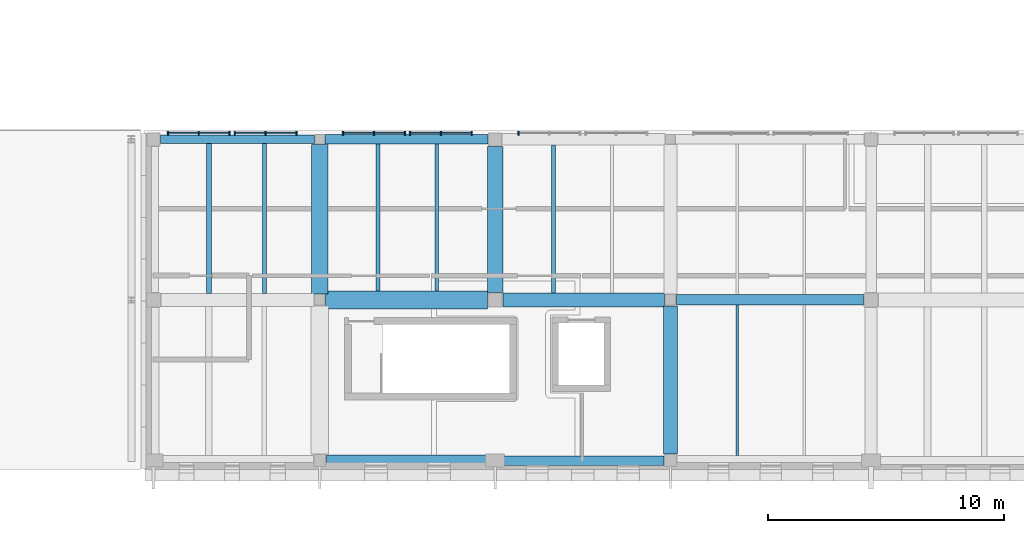
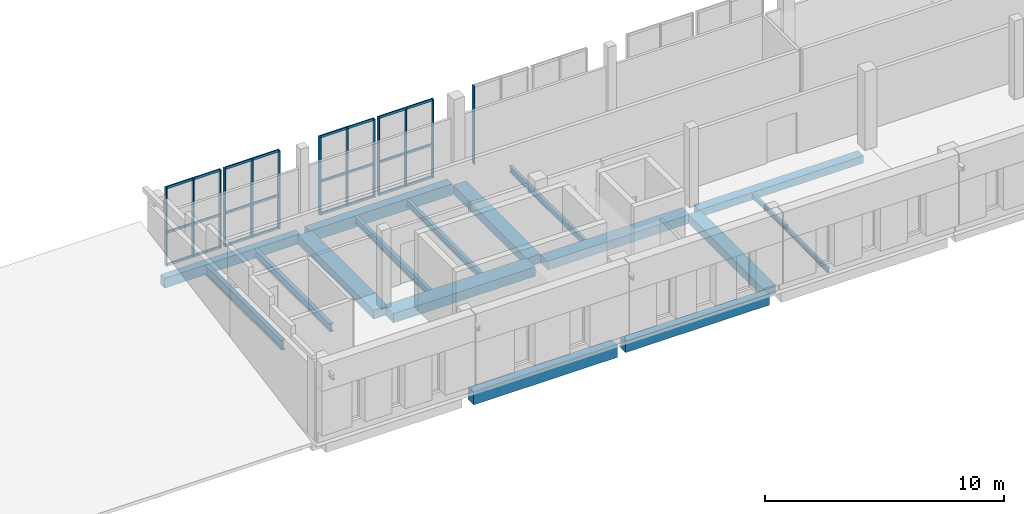
# One storey, part 11 of 56: 37 members, 16 beams, 5 elements without a shape of their own.
"""IFC4 building model written with IfcOpenShell, lengths in metres."""

from ifc_helpers import new_model, si_unit, direction, frame, origin, origin_2d, place, context, subcontext, project, spatial, rectangle, i_section, extrude, material, layer, layer_set, material_profile, profile_set, type_object, element, aggregate, save


model = new_model("IFC4")

# Units and contexts
model_context = context("Model", 3, precision=1e-05, world=origin(), true_north=direction((0.0, 1.0)))
body_context = subcontext(model_context, "Body", "Model", "MODEL_VIEW")
ifc_project = project(units=[si_unit("LENGTHUNIT", "METRE"), si_unit("AREAUNIT", "SQUARE_METRE"), si_unit("VOLUMEUNIT", "CUBIC_METRE"), si_unit("PLANEANGLEUNIT", "RADIAN"), si_unit("MASSUNIT", "GRAM", prefix="KILO")], contexts=[model_context])

# Site, building, storey
site_placement = place(None, origin())
site = spatial("IfcSite", under=ifc_project, at=site_placement, CompositionType="ELEMENT")
building_placement = place(site_placement, origin())
building = spatial("IfcBuilding", under=site, at=building_placement, Name="Vardoun Plaza Health Centre", CompositionType="ELEMENT")
storey_placement = place(building_placement, frame((0.0, 0.0, 8.699951171875)))
storey = spatial("IfcBuildingStorey", under=building, at=storey_placement, Name="L02", CompositionType="ELEMENT", Elevation=8.699951171875)

# Beams
ifc_material_1 = material(Name="Concrete C35/45", Category="concrete")
ifc_material_profile_1 = material_profile(ifc_material_1, rectangle(XDim=0.35009765625, YDim=0.5, at=origin_2d()), Name="RC-BM 350x500")
ifc_profile_set_1 = profile_set([ifc_material_profile_1], Name="Concrete C35/45")
beam_type_1 = type_object("IfcBeamType", Name="B-08", PredefinedType="SPANDREL", material=ifc_profile_set_1)
beam_1_placement = place(storey_placement, frame((106.340087890625, 18.52001953125, -0.544921875), z_axis=(1.0, 0.0, 0.0), x_axis=(0.0, 1.0, 0.0)))
element("IfcBeam", 1, at=beam_1_placement, inside=storey, type_object=beam_type_1, Name="V5 L02 Beam B-V5-L02-X03", PredefinedType="SPANDREL", context=body_context, shape_type="SweptSolid", body=[
    extrude(rectangle(XDim=0.35009765625, YDim=0.5, at=origin_2d()), origin(), (0.0, 0.0, 1.0), 6.534912109375),
])
ifc_material_2 = material(Name="Concrete C35/45", Category="concrete")
ifc_material_profile_2 = material_profile(ifc_material_2, rectangle(XDim=0.39990234375, YDim=0.550048828125, at=origin_2d()), Name="RC-BM 400x550")
ifc_profile_set_2 = profile_set([ifc_material_profile_2], Name="Concrete C35/45")
beam_type_2 = type_object("IfcBeamType", Name="B-09", PredefinedType="SPANDREL", material=ifc_profile_set_2)
beam_2_placement = place(storey_placement, frame((120.739990234375, 4.8798828125, -0.570068359375), z_axis=(1.0, 0.0, 0.0), x_axis=(0.0, 1.0, 0.0)))
element("IfcBeam", 2, at=beam_2_placement, inside=storey, type_object=beam_type_2, Name="V5 L02 Beam B-V5-L02-X07", PredefinedType="SPANDREL", context=body_context, shape_type="SweptSolid", body=[
    extrude(rectangle(XDim=0.39990234375, YDim=0.550048828125, at=origin_2d()), origin(), (0.0, 0.0, 1.0), 6.965087890625),
])
ifc_material_3 = material(Name="Concrete C35/45", Category="concrete")
ifc_material_profile_3 = material_profile(ifc_material_3, rectangle(XDim=0.419921875, YDim=0.580078125, at=origin_2d()), Name="RC-BM 420x580")
ifc_profile_set_3 = profile_set([ifc_material_profile_3], Name="Concrete C35/45")
beam_type_3 = type_object("IfcBeamType", Name="B-10", PredefinedType="SPANDREL", material=ifc_profile_set_3)
beam_3_placement = place(storey_placement, frame((113.324951171875, 18.52001953125, -0.5849609375), z_axis=(1.0, 0.0, 0.0), x_axis=(0.0, 1.0, 0.0)))
element("IfcBeam", 3, at=beam_3_placement, inside=storey, type_object=beam_type_3, Name="V5 L02 Beam B-V5-L02-X06", PredefinedType="SPANDREL", context=body_context, shape_type="SweptSolid", body=[
    extrude(rectangle(XDim=0.419921875, YDim=0.580078125, at=origin_2d()), origin(), (0.0, 0.0, 1.0), 6.9150390625),
])
ifc_material_4 = material(Name="Concrete C35/45", Category="concrete")
ifc_material_profile_4 = material_profile(ifc_material_4, rectangle(XDim=0.449951171875, YDim=0.3798828125, at=origin_2d()), Name="RC-BM 450x380")
ifc_profile_set_4 = profile_set([ifc_material_profile_4], Name="Concrete C35/45")
beam_type_4 = type_object("IfcBeamType", Name="B-01", PredefinedType="BEAM", material=ifc_profile_set_4)
beam_4_placement = place(storey_placement, frame((128.22998046875, 11.699951171875, -0.48486328125), z_axis=(1.0, 0.0, 0.0), x_axis=(0.0, 1.0, 0.0)))
element("IfcBeam", 4, at=beam_4_placement, inside=storey, type_object=beam_type_4, Name="V5 L02 Beam B-V5-L02-X11", PredefinedType="BEAM", context=body_context, shape_type="SweptSolid", body=[
    extrude(rectangle(XDim=0.449951171875, YDim=0.3798828125, at=origin_2d()), origin(), (0.0, 0.0, 1.0), 7.945068359375),
])
ifc_material_5 = material(Name="Concrete C35/45", Category="concrete")
ifc_material_profile_5 = material_profile(ifc_material_5, rectangle(XDim=0.47998046875, YDim=0.6201171875, at=origin_2d()), Name="RC-BM 480x620")
ifc_profile_set_5 = profile_set([ifc_material_profile_5], Name="Concrete C35/45")
beam_type_5 = type_object("IfcBeamType", Name="B-12", PredefinedType="SPANDREL", material=ifc_profile_set_5)
beam_5_placement = place(storey_placement, frame((113.375, 4.8798828125, -0.60498046875), z_axis=(1.0, 0.0, 0.0), x_axis=(0.0, 1.0, 0.0)))
element("IfcBeam", 5, at=beam_5_placement, inside=storey, type_object=beam_type_5, Name="V5 L02 Beam B-V5-L02-X04", PredefinedType="SPANDREL", context=body_context, shape_type="SweptSolid", body=[
    extrude(rectangle(XDim=0.47998046875, YDim=0.6201171875, at=origin_2d()), origin(), (0.0, 0.0, 1.0), 6.965087890625),
])
ifc_material_6 = material(Name="Concrete C35/45", Category="concrete")
ifc_material_profile_6 = material_profile(ifc_material_6, rectangle(XDim=0.60009765625, YDim=0.449951171875, at=origin_2d()), Name="RC-BM 600x450")
ifc_profile_set_6 = profile_set([ifc_material_profile_6], Name="Concrete C35/45")
beam_type_6 = type_object("IfcBeamType", Name="B-04", PredefinedType="BEAM", material=ifc_profile_set_6)
beam_6_placement = place(storey_placement, frame((120.864990234375, 11.699951171875, -0.52001953125), z_axis=(1.0, 0.0, 0.0), x_axis=(0.0, 1.0, 0.0)))
element("IfcBeam", 6, at=beam_6_placement, inside=storey, type_object=beam_type_6, Name="V5 L02 Beam B-V5-L02-X08", PredefinedType="BEAM", context=body_context, shape_type="SweptSolid", body=[
    extrude(rectangle(XDim=0.60009765625, YDim=0.449951171875, at=origin_2d()), origin(), (0.0, 0.0, 1.0), 6.864990234375),
])
beam_7_placement = place(storey_placement, frame((127.97998046875, 5.155029296875, -0.52001953125), z_axis=(0.0, 1.0, 0.0), x_axis=(-1.0, 0.0, 0.0)))
element("IfcBeam", 7, at=beam_7_placement, inside=storey, type_object=beam_type_6, Name="V5 L02 Beam B-V5-L02-Y30", PredefinedType="BEAM", context=body_context, shape_type="SweptSolid", body=[
    extrude(rectangle(XDim=0.60009765625, YDim=0.449951171875, at=origin_2d()), origin(), (0.0, 0.0, 1.0), 6.294921875),
])
ifc_material_7 = material(Name="Concrete C35/45", Category="concrete")
ifc_material_profile_7 = material_profile(ifc_material_7, rectangle(XDim=0.64990234375, YDim=0.449951171875, at=origin_2d()), Name="RC-BM 650x450")
ifc_profile_set_7 = profile_set([ifc_material_profile_7], Name="Concrete C35/45")
beam_type_7 = type_object("IfcBeamType", Name="B-05", PredefinedType="BEAM", material=ifc_profile_set_7)
beam_8_placement = place(storey_placement, frame((120.5400390625, 12.02490234375, -0.52001953125), z_axis=(0.0, 1.0, 0.0), x_axis=(-1.0, 0.0, 0.0)))
element("IfcBeam", 8, at=beam_8_placement, inside=storey, type_object=beam_type_7, Name="V5 L02 Beam B-V5-L02-Y29", PredefinedType="BEAM", context=body_context, shape_type="SweptSolid", body=[
    extrude(rectangle(XDim=0.64990234375, YDim=0.449951171875, at=origin_2d()), origin(), (0.0, 0.0, 1.0), 6.195068359375),
])
ifc_material_8 = material(Name="Concrete C35/45", Category="concrete")
ifc_material_profile_8 = material_profile(ifc_material_8, rectangle(XDim=0.699951171875, YDim=0.449951171875, at=origin_2d()), Name="RC-BM 700x450")
ifc_profile_set_8 = profile_set([ifc_material_profile_8], Name="Concrete C35/45")
beam_type_8 = type_object("IfcBeamType", Name="B-06", PredefinedType="BEAM", material=ifc_profile_set_8)
beam_9_placement = place(storey_placement, frame((113.10009765625, 11.949951171875, -0.52001953125), z_axis=(0.0, 1.0, 0.0), x_axis=(-1.0, 0.0, 0.0)))
element("IfcBeam", 9, at=beam_9_placement, inside=storey, type_object=beam_type_8, Name="V5 L02 Beam B-V5-L02-Y28", PredefinedType="BEAM", context=body_context, shape_type="SweptSolid", body=[
    extrude(rectangle(XDim=0.699951171875, YDim=0.449951171875, at=origin_2d()), origin(), (0.0, 0.0, 1.0), 6.344970703125),
])
ifc_material_9 = material(Name="Concrete C35/45", Category="concrete")
ifc_material_profile_9 = material_profile(ifc_material_9, rectangle(XDim=0.75, YDim=0.47998046875, at=origin_2d()), Name="RC-BM 750x480")
ifc_profile_set_9 = profile_set([ifc_material_profile_9], Name="Concrete C35/45")
beam_type_9 = type_object("IfcBeamType", Name="B-07", PredefinedType="BEAM", material=ifc_profile_set_9)
beam_10_placement = place(storey_placement, frame((113.35009765625, 11.699951171875, -0.534912109375), z_axis=(1.0, 0.0, 0.0), x_axis=(0.0, 1.0, 0.0)))
element("IfcBeam", 10, at=beam_10_placement, inside=storey, type_object=beam_type_9, Name="V5 L02 Beam B-V5-L02-X05", PredefinedType="BEAM", context=body_context, shape_type="SweptSolid", body=[
    extrude(rectangle(XDim=0.75, YDim=0.47998046875, at=origin_2d()), origin(), (0.0, 0.0, 1.0), 6.864990234375),
])
ifc_material_10 = material(Name="Steel S355J2", Category="steel")
ifc_material_profile_10 = material_profile(ifc_material_10, i_section(OverallWidth=0.1201171875, OverallDepth=0.239990234375, WebThickness=0.006103515625, FlangeThickness=0.009765625, FilletRadius=0.014892578125, at=origin_2d()), Name="IPE 240")
ifc_profile_set_10 = profile_set([ifc_material_profile_10], Name="Steel S355J2")
beam_type_10 = type_object("IfcBeamType", Name="SB-17", PredefinedType="JOIST", material=ifc_profile_set_10)
beam_11_placement = place(storey_placement, frame((130.819580078125, 5.10498046875, -0.4150390625), z_axis=(0.0, 1.0, 0.0), x_axis=(-1.0, 0.0, 0.0)))
element("IfcBeam", 11, at=beam_11_placement, inside=storey, type_object=beam_type_10, Name="V5 L02 Secondary Floor Beam SJ-V5-L02-09", PredefinedType="JOIST", context=body_context, shape_type="SweptSolid", body=[
    extrude(i_section(OverallWidth=0.1201171875, OverallDepth=0.239990234375, WebThickness=0.006103515625, FlangeThickness=0.009765625, FilletRadius=0.014892578125, at=origin_2d()), origin(), (0.0, 0.0, 1.0), 6.3701171875),
])
ifc_material_11 = material(Name="Steel S355J2", Category="steel")
ifc_material_profile_11 = material_profile(ifc_material_11, i_section(OverallWidth=0.14990234375, OverallDepth=0.300048828125, WebThickness=0.007080078125, FlangeThickness=0.0107421875, FilletRadius=0.014892578125, at=origin_2d()), Name="IPE 300")
ifc_profile_set_11 = profile_set([ifc_material_profile_11], Name="Steel S355J2")
beam_type_11 = type_object("IfcBeamType", Name="SB-15", PredefinedType="JOIST", material=ifc_profile_set_11)
beam_12_placement = place(storey_placement, frame((123.019775390625, 12.0, -0.445068359375), z_axis=(0.0, 1.0, 0.0), x_axis=(-1.0, 0.0, 0.0)))
element("IfcBeam", 12, at=beam_12_placement, inside=storey, type_object=beam_type_11, Name="V5 L02 Secondary Floor Beam SJ-V5-L02-07", PredefinedType="JOIST", context=body_context, shape_type="SweptSolid", body=[
    extrude(i_section(OverallWidth=0.14990234375, OverallDepth=0.300048828125, WebThickness=0.007080078125, FlangeThickness=0.0107421875, FilletRadius=0.014892578125, at=origin_2d()), origin(), (0.0, 0.0, 1.0), 6.280029296875),
])
ifc_material_12 = material(Name="Steel S355J2", Category="steel")
ifc_material_profile_12 = material_profile(ifc_material_12, i_section(OverallWidth=0.159912109375, OverallDepth=0.330078125, WebThickness=0.007568359375, FlangeThickness=0.011474609375, FilletRadius=0.01806640625, at=origin_2d()), Name="IPE 330")
ifc_profile_set_12 = profile_set([ifc_material_profile_12], Name="Steel S355J2")
beam_type_12 = type_object("IfcBeamType", Name="SB-14", PredefinedType="JOIST", material=ifc_profile_set_12)
beam_13_placement = place(storey_placement, frame((118.060302734375, 12.074951171875, -0.4599609375), z_axis=(0.0, 1.0, 0.0), x_axis=(-1.0, 0.0, 0.0)))
element("IfcBeam", 13, at=beam_13_placement, inside=storey, type_object=beam_type_12, Name="V5 L02 Secondary Floor Beam SJ-V5-L02-06", PredefinedType="JOIST", context=body_context, shape_type="SweptSolid", body=[
    extrude(i_section(OverallWidth=0.159912109375, OverallDepth=0.330078125, WebThickness=0.007568359375, FlangeThickness=0.011474609375, FilletRadius=0.01806640625, at=origin_2d()), origin(), (0.0, 0.0, 1.0), 6.235107421875),
])
ifc_material_13 = material(Name="Steel S355J2", Category="steel")
ifc_material_profile_13 = material_profile(ifc_material_13, i_section(OverallWidth=0.169921875, OverallDepth=0.360107421875, WebThickness=0.008056640625, FlangeThickness=0.0126953125, FilletRadius=0.01806640625, at=origin_2d()), Name="IPE 360")
ifc_profile_set_13 = profile_set([ifc_material_profile_13], Name="Steel S355J2")
beam_type_13 = type_object("IfcBeamType", Name="SB-13", PredefinedType="JOIST", material=ifc_profile_set_13)
beam_14_placement = place(storey_placement, frame((115.579833984375, 12.074951171875, -0.474853515625), z_axis=(0.0, 1.0, 0.0), x_axis=(-1.0, 0.0, 0.0)))
element("IfcBeam", 14, at=beam_14_placement, inside=storey, type_object=beam_type_13, Name="V5 L02 Secondary Floor Beam SJ-V5-L02-05", PredefinedType="JOIST", context=body_context, shape_type="SweptSolid", body=[
    extrude(i_section(OverallWidth=0.169921875, OverallDepth=0.360107421875, WebThickness=0.008056640625, FlangeThickness=0.0126953125, FilletRadius=0.01806640625, at=origin_2d()), origin(), (0.0, 0.0, 1.0), 6.235107421875),
])
ifc_material_14 = material(Name="Steel S355J2", Category="steel")
ifc_material_profile_14 = material_profile(ifc_material_14, i_section(OverallWidth=0.179931640625, OverallDepth=0.39990234375, WebThickness=0.008544921875, FlangeThickness=0.013427734375, FilletRadius=0.02099609375, at=origin_2d()), Name="IPE 400")
ifc_profile_set_14 = profile_set([ifc_material_profile_14], Name="Steel S355J2")
beam_type_14 = type_object("IfcBeamType", Name="SB-12", PredefinedType="BEAM", material=ifc_profile_set_14)
beam_15_placement = place(storey_placement, frame((110.7470703125, 11.97509765625, -0.494873046875), z_axis=(0.0, 1.0, 0.0), x_axis=(-1.0, 0.0, 0.0)))
element("IfcBeam", 15, at=beam_15_placement, inside=storey, type_object=beam_type_14, Name="V5 L02 Secondary Floor Beam SJ-V5-L02-04", PredefinedType="BEAM", context=body_context, shape_type="SweptSolid", body=[
    extrude(i_section(OverallWidth=0.179931640625, OverallDepth=0.39990234375, WebThickness=0.008544921875, FlangeThickness=0.013427734375, FilletRadius=0.02099609375, at=origin_2d()), origin(), (0.0, 0.0, 1.0), 6.369873046875),
])
ifc_material_15 = material(Name="Steel S355J2", Category="steel")
ifc_material_profile_15 = material_profile(ifc_material_15, i_section(OverallWidth=0.199951171875, OverallDepth=0.5, WebThickness=0.01025390625, FlangeThickness=0.01611328125, FilletRadius=0.02099609375, at=origin_2d()), Name="IPE 500")
ifc_profile_set_15 = profile_set([ifc_material_profile_15], Name="Steel S355J2")
beam_type_15 = type_object("IfcBeamType", Name="SB-10", PredefinedType="BEAM", material=ifc_profile_set_15)
beam_16_placement = place(storey_placement, frame((108.39306640625, 11.97509765625, -0.544921875), z_axis=(0.0, 1.0, 0.0), x_axis=(-1.0, 0.0, 0.0)))
element("IfcBeam", 16, at=beam_16_placement, inside=storey, type_object=beam_type_15, Name="V5 L02 Secondary Floor Beam SJ-V5-L02-02", PredefinedType="BEAM", context=body_context, shape_type="SweptSolid", body=[
    extrude(i_section(OverallWidth=0.199951171875, OverallDepth=0.5, WebThickness=0.01025390625, FlangeThickness=0.01611328125, FilletRadius=0.02099609375, at=origin_2d()), origin(), (0.0, 0.0, 1.0), 6.369873046875),
])

# Curtain wall, members
ifc_material_16 = material(Name="Aluminium Alloy EN AW-6063-T6 and Low-E Glass", Category="aluminium")
ifc_layer = layer(ifc_material_16, 0.14990234375)
ifc_layer_set = layer_set([ifc_layer], Name="Aluminium Alloy EN AW-6063-T6 and Low-E Glass")
curtain_wall_type = type_object("IfcCurtainWallType", Name="CW-03", PredefinedType="NOTDEFINED", material=ifc_layer_set)
curtain_wall_1_placement = place(storey_placement, origin())
curtain_wall_1 = element("IfcCurtainWall", 17, at=curtain_wall_1_placement, inside=storey, type_object=curtain_wall_type, Name="Curtain Wall CW-V5-165", PredefinedType="NOTDEFINED")
ifc_material_17 = material(Name="Aluminium Alloy EN AW-6063-T6", Category="aluminium")
ifc_material_profile_16 = material_profile(ifc_material_17, rectangle(XDim=0.159912109375, YDim=0.06005859375, at=origin_2d()), Name="CWM 60x160")
ifc_profile_set_16 = profile_set([ifc_material_profile_16], Name="Aluminium Alloy EN AW-6063-T6")
member_type_1 = type_object("IfcMemberType", Name="CW-M1", PredefinedType="MULLION", material=ifc_profile_set_16)
member_1_placement = place(storey_placement, frame((106.650146484375, 18.780029296875, 0.0), z_axis=(0.0, 0.0, 1.0), x_axis=(0.0, 1.0, 0.0)))
member_1 = element("IfcMember", 18, at=member_1_placement, type_object=member_type_1, Name="CW-V5-165 mullion 1", PredefinedType="MULLION", context=body_context, shape_type="SweptSolid", body=[
    extrude(rectangle(XDim=0.159912109375, YDim=0.06005859375, at=origin_2d()), origin(), (0.0, 0.0, 1.0), 4.005126953125),
])
member_2_placement = place(storey_placement, frame((107.9599609375, 18.780029296875, 0.0), z_axis=(0.0, 0.0, 1.0), x_axis=(0.0, 1.0, 0.0)))
member_2 = element("IfcMember", 19, at=member_2_placement, type_object=member_type_1, Name="CW-V5-165 mullion 2", PredefinedType="MULLION", context=body_context, shape_type="SweptSolid", body=[
    extrude(rectangle(XDim=0.159912109375, YDim=0.06005859375, at=origin_2d()), origin(), (0.0, 0.0, 1.0), 4.005126953125),
])
member_3_placement = place(storey_placement, frame((109.27001953125, 18.780029296875, 0.0), z_axis=(0.0, 0.0, 1.0), x_axis=(0.0, 1.0, 0.0)))
member_3 = element("IfcMember", 20, at=member_3_placement, type_object=member_type_1, Name="CW-V5-165 mullion 3", PredefinedType="MULLION", context=body_context, shape_type="SweptSolid", body=[
    extrude(rectangle(XDim=0.159912109375, YDim=0.06005859375, at=origin_2d()), origin(), (0.0, 0.0, 1.0), 4.005126953125),
])

curtain_wall_2_placement = place(storey_placement, origin())
curtain_wall_2 = element("IfcCurtainWall", 21, at=curtain_wall_2_placement, inside=storey, type_object=curtain_wall_type, Name="Curtain Wall CW-V5-166", PredefinedType="NOTDEFINED")
member_4_placement = place(storey_placement, frame((109.489990234375, 18.780029296875, 0.0), z_axis=(0.0, 0.0, 1.0), x_axis=(0.0, 1.0, 0.0)))
member_4 = element("IfcMember", 22, at=member_4_placement, type_object=member_type_1, Name="CW-V5-166 mullion 1", PredefinedType="MULLION", context=body_context, shape_type="SweptSolid", body=[
    extrude(rectangle(XDim=0.159912109375, YDim=0.06005859375, at=origin_2d()), origin(), (0.0, 0.0, 1.0), 4.005126953125),
])
member_5_placement = place(storey_placement, frame((110.800048828125, 18.780029296875, 0.0), z_axis=(0.0, 0.0, 1.0), x_axis=(0.0, 1.0, 0.0)))
member_5 = element("IfcMember", 23, at=member_5_placement, type_object=member_type_1, Name="CW-V5-166 mullion 2", PredefinedType="MULLION", context=body_context, shape_type="SweptSolid", body=[
    extrude(rectangle(XDim=0.159912109375, YDim=0.06005859375, at=origin_2d()), origin(), (0.0, 0.0, 1.0), 4.005126953125),
])
member_6_placement = place(storey_placement, frame((112.110107421875, 18.780029296875, 0.0), z_axis=(0.0, 0.0, 1.0), x_axis=(0.0, 1.0, 0.0)))
member_6 = element("IfcMember", 24, at=member_6_placement, type_object=member_type_1, Name="CW-V5-166 mullion 3", PredefinedType="MULLION", context=body_context, shape_type="SweptSolid", body=[
    extrude(rectangle(XDim=0.159912109375, YDim=0.06005859375, at=origin_2d()), origin(), (0.0, 0.0, 1.0), 4.005126953125),
])

curtain_wall_3_placement = place(storey_placement, origin())
curtain_wall_3 = element("IfcCurtainWall", 25, at=curtain_wall_3_placement, inside=storey, type_object=curtain_wall_type, Name="Curtain Wall CW-V5-167", PredefinedType="NOTDEFINED")
member_7_placement = place(storey_placement, frame((114.090087890625, 18.780029296875, 0.0), z_axis=(0.0, 0.0, 1.0), x_axis=(0.0, 1.0, 0.0)))
member_7 = element("IfcMember", 26, at=member_7_placement, type_object=member_type_1, Name="CW-V5-167 mullion 1", PredefinedType="MULLION", context=body_context, shape_type="SweptSolid", body=[
    extrude(rectangle(XDim=0.159912109375, YDim=0.06005859375, at=origin_2d()), origin(), (0.0, 0.0, 1.0), 4.005126953125),
])
member_8_placement = place(storey_placement, frame((115.400146484375, 18.780029296875, 0.0), z_axis=(0.0, 0.0, 1.0), x_axis=(0.0, 1.0, 0.0)))
member_8 = element("IfcMember", 27, at=member_8_placement, type_object=member_type_1, Name="CW-V5-167 mullion 2", PredefinedType="MULLION", context=body_context, shape_type="SweptSolid", body=[
    extrude(rectangle(XDim=0.159912109375, YDim=0.06005859375, at=origin_2d()), origin(), (0.0, 0.0, 1.0), 4.005126953125),
])
member_9_placement = place(storey_placement, frame((116.7099609375, 18.780029296875, 0.0), z_axis=(0.0, 0.0, 1.0), x_axis=(0.0, 1.0, 0.0)))
member_9 = element("IfcMember", 28, at=member_9_placement, type_object=member_type_1, Name="CW-V5-167 mullion 3", PredefinedType="MULLION", context=body_context, shape_type="SweptSolid", body=[
    extrude(rectangle(XDim=0.159912109375, YDim=0.06005859375, at=origin_2d()), origin(), (0.0, 0.0, 1.0), 4.005126953125),
])

curtain_wall_4_placement = place(storey_placement, origin())
curtain_wall_4 = element("IfcCurtainWall", 29, at=curtain_wall_4_placement, inside=storey, type_object=curtain_wall_type, Name="Curtain Wall CW-V5-168", PredefinedType="NOTDEFINED")
member_10_placement = place(storey_placement, frame((116.929931640625, 18.780029296875, 0.0), z_axis=(0.0, 0.0, 1.0), x_axis=(0.0, 1.0, 0.0)))
member_10 = element("IfcMember", 30, at=member_10_placement, type_object=member_type_1, Name="CW-V5-168 mullion 1", PredefinedType="MULLION", context=body_context, shape_type="SweptSolid", body=[
    extrude(rectangle(XDim=0.159912109375, YDim=0.06005859375, at=origin_2d()), origin(), (0.0, 0.0, 1.0), 4.005126953125),
])
member_11_placement = place(storey_placement, frame((118.239990234375, 18.780029296875, 0.0), z_axis=(0.0, 0.0, 1.0), x_axis=(0.0, 1.0, 0.0)))
member_11 = element("IfcMember", 31, at=member_11_placement, type_object=member_type_1, Name="CW-V5-168 mullion 2", PredefinedType="MULLION", context=body_context, shape_type="SweptSolid", body=[
    extrude(rectangle(XDim=0.159912109375, YDim=0.06005859375, at=origin_2d()), origin(), (0.0, 0.0, 1.0), 4.005126953125),
])
member_12_placement = place(storey_placement, frame((119.550048828125, 18.780029296875, 0.0), z_axis=(0.0, 0.0, 1.0), x_axis=(0.0, 1.0, 0.0)))
member_12 = element("IfcMember", 32, at=member_12_placement, type_object=member_type_1, Name="CW-V5-168 mullion 3", PredefinedType="MULLION", context=body_context, shape_type="SweptSolid", body=[
    extrude(rectangle(XDim=0.159912109375, YDim=0.06005859375, at=origin_2d()), origin(), (0.0, 0.0, 1.0), 4.005126953125),
])

# Curtain wall, member
curtain_wall_5_placement = place(storey_placement, origin())
curtain_wall_5 = element("IfcCurtainWall", 33, at=curtain_wall_5_placement, inside=storey, type_object=curtain_wall_type, Name="Curtain Wall CW-V5-169", PredefinedType="NOTDEFINED")
member_13_placement = place(storey_placement, frame((121.530029296875, 18.780029296875, 0.0), z_axis=(0.0, 0.0, 1.0), x_axis=(0.0, 1.0, 0.0)))
member_13 = element("IfcMember", 34, at=member_13_placement, type_object=member_type_1, Name="CW-V5-169 mullion 1", PredefinedType="MULLION", context=body_context, shape_type="SweptSolid", body=[
    extrude(rectangle(XDim=0.159912109375, YDim=0.06005859375, at=origin_2d()), origin(), (0.0, 0.0, 1.0), 4.005126953125),
])
aggregate(curtain_wall_5, [member_13])

# Member
ifc_material_18 = material(Name="Aluminium Alloy EN AW-6063-T6", Category="aluminium")
ifc_material_profile_17 = material_profile(ifc_material_18, rectangle(XDim=0.06005859375, YDim=0.1201171875, at=origin_2d()), Name="CWT 60x120")
ifc_profile_set_17 = profile_set([ifc_material_profile_17], Name="Aluminium Alloy EN AW-6063-T6")
member_type_2 = type_object("IfcMemberType", Name="CW-T1", PredefinedType="USERDEFINED", material=ifc_profile_set_17)
member_14_placement = place(storey_placement, frame((106.679931640625, 18.780029296875, 0.030029296875), z_axis=(1.0, 0.0, 0.0), x_axis=(0.0, 1.0, 0.0)))
member_14 = element("IfcMember", 35, at=member_14_placement, type_object=member_type_2, Name="CW-V5-165 transom 1.1", ObjectType="TRANSOM", PredefinedType="USERDEFINED", context=body_context, shape_type="SweptSolid", body=[
    extrude(rectangle(XDim=0.06005859375, YDim=0.1201171875, at=origin_2d()), origin(), (0.0, 0.0, 1.0), 1.25),
])

member_15_placement = place(storey_placement, frame((106.679931640625, 18.780029296875, 1.68212890625), z_axis=(1.0, 0.0, 0.0), x_axis=(0.0, 1.0, 0.0)))
member_15 = element("IfcMember", 36, at=member_15_placement, type_object=member_type_2, Name="CW-V5-165 transom 1.2", ObjectType="TRANSOM", PredefinedType="USERDEFINED", context=body_context, shape_type="SweptSolid", body=[
    extrude(rectangle(XDim=0.06005859375, YDim=0.1201171875, at=origin_2d()), origin(), (0.0, 0.0, 1.0), 1.25),
])

member_16_placement = place(storey_placement, frame((106.679931640625, 18.780029296875, 3.97509765625), z_axis=(1.0, 0.0, 0.0), x_axis=(0.0, 1.0, 0.0)))
member_16 = element("IfcMember", 37, at=member_16_placement, type_object=member_type_2, Name="CW-V5-165 transom 1.3", ObjectType="TRANSOM", PredefinedType="USERDEFINED", context=body_context, shape_type="SweptSolid", body=[
    extrude(rectangle(XDim=0.06005859375, YDim=0.1201171875, at=origin_2d()), origin(), (0.0, 0.0, 1.0), 1.25),
])

member_17_placement = place(storey_placement, frame((107.989990234375, 18.780029296875, 0.030029296875), z_axis=(1.0, 0.0, 0.0), x_axis=(0.0, 1.0, 0.0)))
member_17 = element("IfcMember", 38, at=member_17_placement, type_object=member_type_2, Name="CW-V5-165 transom 2.1", ObjectType="TRANSOM", PredefinedType="USERDEFINED", context=body_context, shape_type="SweptSolid", body=[
    extrude(rectangle(XDim=0.06005859375, YDim=0.1201171875, at=origin_2d()), origin(), (0.0, 0.0, 1.0), 1.25),
])

member_18_placement = place(storey_placement, frame((107.989990234375, 18.780029296875, 1.68212890625), z_axis=(1.0, 0.0, 0.0), x_axis=(0.0, 1.0, 0.0)))
member_18 = element("IfcMember", 39, at=member_18_placement, type_object=member_type_2, Name="CW-V5-165 transom 2.2", ObjectType="TRANSOM", PredefinedType="USERDEFINED", context=body_context, shape_type="SweptSolid", body=[
    extrude(rectangle(XDim=0.06005859375, YDim=0.1201171875, at=origin_2d()), origin(), (0.0, 0.0, 1.0), 1.25),
])

member_19_placement = place(storey_placement, frame((107.989990234375, 18.780029296875, 3.97509765625), z_axis=(1.0, 0.0, 0.0), x_axis=(0.0, 1.0, 0.0)))
member_19 = element("IfcMember", 40, at=member_19_placement, type_object=member_type_2, Name="CW-V5-165 transom 2.3", ObjectType="TRANSOM", PredefinedType="USERDEFINED", context=body_context, shape_type="SweptSolid", body=[
    extrude(rectangle(XDim=0.06005859375, YDim=0.1201171875, at=origin_2d()), origin(), (0.0, 0.0, 1.0), 1.25),
])

aggregate(curtain_wall_1, [member_1, member_2, member_3, member_14, member_15, member_16, member_17, member_18, member_19])

member_20_placement = place(storey_placement, frame((109.52001953125, 18.780029296875, 0.030029296875), z_axis=(1.0, 0.0, 0.0), x_axis=(0.0, 1.0, 0.0)))
member_20 = element("IfcMember", 41, at=member_20_placement, type_object=member_type_2, Name="CW-V5-166 transom 1.1", ObjectType="TRANSOM", PredefinedType="USERDEFINED", context=body_context, shape_type="SweptSolid", body=[
    extrude(rectangle(XDim=0.06005859375, YDim=0.1201171875, at=origin_2d()), origin(), (0.0, 0.0, 1.0), 1.25),
])

member_21_placement = place(storey_placement, frame((109.52001953125, 18.780029296875, 1.68212890625), z_axis=(1.0, 0.0, 0.0), x_axis=(0.0, 1.0, 0.0)))
member_21 = element("IfcMember", 42, at=member_21_placement, type_object=member_type_2, Name="CW-V5-166 transom 1.2", ObjectType="TRANSOM", PredefinedType="USERDEFINED", context=body_context, shape_type="SweptSolid", body=[
    extrude(rectangle(XDim=0.06005859375, YDim=0.1201171875, at=origin_2d()), origin(), (0.0, 0.0, 1.0), 1.25),
])

member_22_placement = place(storey_placement, frame((109.52001953125, 18.780029296875, 3.97509765625), z_axis=(1.0, 0.0, 0.0), x_axis=(0.0, 1.0, 0.0)))
member_22 = element("IfcMember", 43, at=member_22_placement, type_object=member_type_2, Name="CW-V5-166 transom 1.3", ObjectType="TRANSOM", PredefinedType="USERDEFINED", context=body_context, shape_type="SweptSolid", body=[
    extrude(rectangle(XDim=0.06005859375, YDim=0.1201171875, at=origin_2d()), origin(), (0.0, 0.0, 1.0), 1.25),
])

member_23_placement = place(storey_placement, frame((110.830078125, 18.780029296875, 0.030029296875), z_axis=(1.0, 0.0, 0.0), x_axis=(0.0, 1.0, 0.0)))
member_23 = element("IfcMember", 44, at=member_23_placement, type_object=member_type_2, Name="CW-V5-166 transom 2.1", ObjectType="TRANSOM", PredefinedType="USERDEFINED", context=body_context, shape_type="SweptSolid", body=[
    extrude(rectangle(XDim=0.06005859375, YDim=0.1201171875, at=origin_2d()), origin(), (0.0, 0.0, 1.0), 1.25),
])

member_24_placement = place(storey_placement, frame((110.830078125, 18.780029296875, 1.68212890625), z_axis=(1.0, 0.0, 0.0), x_axis=(0.0, 1.0, 0.0)))
member_24 = element("IfcMember", 45, at=member_24_placement, type_object=member_type_2, Name="CW-V5-166 transom 2.2", ObjectType="TRANSOM", PredefinedType="USERDEFINED", context=body_context, shape_type="SweptSolid", body=[
    extrude(rectangle(XDim=0.06005859375, YDim=0.1201171875, at=origin_2d()), origin(), (0.0, 0.0, 1.0), 1.25),
])

member_25_placement = place(storey_placement, frame((110.830078125, 18.780029296875, 3.97509765625), z_axis=(1.0, 0.0, 0.0), x_axis=(0.0, 1.0, 0.0)))
member_25 = element("IfcMember", 46, at=member_25_placement, type_object=member_type_2, Name="CW-V5-166 transom 2.3", ObjectType="TRANSOM", PredefinedType="USERDEFINED", context=body_context, shape_type="SweptSolid", body=[
    extrude(rectangle(XDim=0.06005859375, YDim=0.1201171875, at=origin_2d()), origin(), (0.0, 0.0, 1.0), 1.25),
])

aggregate(curtain_wall_2, [member_4, member_5, member_6, member_20, member_21, member_22, member_23, member_24, member_25])

member_26_placement = place(storey_placement, frame((114.1201171875, 18.780029296875, 0.030029296875), z_axis=(1.0, 0.0, 0.0), x_axis=(0.0, 1.0, 0.0)))
member_26 = element("IfcMember", 47, at=member_26_placement, type_object=member_type_2, Name="CW-V5-167 transom 1.1", ObjectType="TRANSOM", PredefinedType="USERDEFINED", context=body_context, shape_type="SweptSolid", body=[
    extrude(rectangle(XDim=0.06005859375, YDim=0.1201171875, at=origin_2d()), origin(), (0.0, 0.0, 1.0), 1.25),
])

member_27_placement = place(storey_placement, frame((114.1201171875, 18.780029296875, 1.68212890625), z_axis=(1.0, 0.0, 0.0), x_axis=(0.0, 1.0, 0.0)))
member_27 = element("IfcMember", 48, at=member_27_placement, type_object=member_type_2, Name="CW-V5-167 transom 1.2", ObjectType="TRANSOM", PredefinedType="USERDEFINED", context=body_context, shape_type="SweptSolid", body=[
    extrude(rectangle(XDim=0.06005859375, YDim=0.1201171875, at=origin_2d()), origin(), (0.0, 0.0, 1.0), 1.25),
])

member_28_placement = place(storey_placement, frame((114.1201171875, 18.780029296875, 3.97509765625), z_axis=(1.0, 0.0, 0.0), x_axis=(0.0, 1.0, 0.0)))
member_28 = element("IfcMember", 49, at=member_28_placement, type_object=member_type_2, Name="CW-V5-167 transom 1.3", ObjectType="TRANSOM", PredefinedType="USERDEFINED", context=body_context, shape_type="SweptSolid", body=[
    extrude(rectangle(XDim=0.06005859375, YDim=0.1201171875, at=origin_2d()), origin(), (0.0, 0.0, 1.0), 1.25),
])

member_29_placement = place(storey_placement, frame((115.429931640625, 18.780029296875, 0.030029296875), z_axis=(1.0, 0.0, 0.0), x_axis=(0.0, 1.0, 0.0)))
member_29 = element("IfcMember", 50, at=member_29_placement, type_object=member_type_2, Name="CW-V5-167 transom 2.1", ObjectType="TRANSOM", PredefinedType="USERDEFINED", context=body_context, shape_type="SweptSolid", body=[
    extrude(rectangle(XDim=0.06005859375, YDim=0.1201171875, at=origin_2d()), origin(), (0.0, 0.0, 1.0), 1.25),
])

member_30_placement = place(storey_placement, frame((115.429931640625, 18.780029296875, 1.68212890625), z_axis=(1.0, 0.0, 0.0), x_axis=(0.0, 1.0, 0.0)))
member_30 = element("IfcMember", 51, at=member_30_placement, type_object=member_type_2, Name="CW-V5-167 transom 2.2", ObjectType="TRANSOM", PredefinedType="USERDEFINED", context=body_context, shape_type="SweptSolid", body=[
    extrude(rectangle(XDim=0.06005859375, YDim=0.1201171875, at=origin_2d()), origin(), (0.0, 0.0, 1.0), 1.25),
])

member_31_placement = place(storey_placement, frame((115.429931640625, 18.780029296875, 3.97509765625), z_axis=(1.0, 0.0, 0.0), x_axis=(0.0, 1.0, 0.0)))
member_31 = element("IfcMember", 52, at=member_31_placement, type_object=member_type_2, Name="CW-V5-167 transom 2.3", ObjectType="TRANSOM", PredefinedType="USERDEFINED", context=body_context, shape_type="SweptSolid", body=[
    extrude(rectangle(XDim=0.06005859375, YDim=0.1201171875, at=origin_2d()), origin(), (0.0, 0.0, 1.0), 1.25),
])

aggregate(curtain_wall_3, [member_7, member_8, member_9, member_26, member_27, member_28, member_29, member_30, member_31])

member_32_placement = place(storey_placement, frame((116.9599609375, 18.780029296875, 0.030029296875), z_axis=(1.0, 0.0, 0.0), x_axis=(0.0, 1.0, 0.0)))
member_32 = element("IfcMember", 53, at=member_32_placement, type_object=member_type_2, Name="CW-V5-168 transom 1.1", ObjectType="TRANSOM", PredefinedType="USERDEFINED", context=body_context, shape_type="SweptSolid", body=[
    extrude(rectangle(XDim=0.06005859375, YDim=0.1201171875, at=origin_2d()), origin(), (0.0, 0.0, 1.0), 1.25),
])

member_33_placement = place(storey_placement, frame((116.9599609375, 18.780029296875, 1.68212890625), z_axis=(1.0, 0.0, 0.0), x_axis=(0.0, 1.0, 0.0)))
member_33 = element("IfcMember", 54, at=member_33_placement, type_object=member_type_2, Name="CW-V5-168 transom 1.2", ObjectType="TRANSOM", PredefinedType="USERDEFINED", context=body_context, shape_type="SweptSolid", body=[
    extrude(rectangle(XDim=0.06005859375, YDim=0.1201171875, at=origin_2d()), origin(), (0.0, 0.0, 1.0), 1.25),
])

member_34_placement = place(storey_placement, frame((116.9599609375, 18.780029296875, 3.97509765625), z_axis=(1.0, 0.0, 0.0), x_axis=(0.0, 1.0, 0.0)))
member_34 = element("IfcMember", 55, at=member_34_placement, type_object=member_type_2, Name="CW-V5-168 transom 1.3", ObjectType="TRANSOM", PredefinedType="USERDEFINED", context=body_context, shape_type="SweptSolid", body=[
    extrude(rectangle(XDim=0.06005859375, YDim=0.1201171875, at=origin_2d()), origin(), (0.0, 0.0, 1.0), 1.25),
])

member_35_placement = place(storey_placement, frame((118.27001953125, 18.780029296875, 0.030029296875), z_axis=(1.0, 0.0, 0.0), x_axis=(0.0, 1.0, 0.0)))
member_35 = element("IfcMember", 56, at=member_35_placement, type_object=member_type_2, Name="CW-V5-168 transom 2.1", ObjectType="TRANSOM", PredefinedType="USERDEFINED", context=body_context, shape_type="SweptSolid", body=[
    extrude(rectangle(XDim=0.06005859375, YDim=0.1201171875, at=origin_2d()), origin(), (0.0, 0.0, 1.0), 1.25),
])

member_36_placement = place(storey_placement, frame((118.27001953125, 18.780029296875, 1.68212890625), z_axis=(1.0, 0.0, 0.0), x_axis=(0.0, 1.0, 0.0)))
member_36 = element("IfcMember", 57, at=member_36_placement, type_object=member_type_2, Name="CW-V5-168 transom 2.2", ObjectType="TRANSOM", PredefinedType="USERDEFINED", context=body_context, shape_type="SweptSolid", body=[
    extrude(rectangle(XDim=0.06005859375, YDim=0.1201171875, at=origin_2d()), origin(), (0.0, 0.0, 1.0), 1.25),
])

member_37_placement = place(storey_placement, frame((118.27001953125, 18.780029296875, 3.97509765625), z_axis=(1.0, 0.0, 0.0), x_axis=(0.0, 1.0, 0.0)))
member_37 = element("IfcMember", 58, at=member_37_placement, type_object=member_type_2, Name="CW-V5-168 transom 2.3", ObjectType="TRANSOM", PredefinedType="USERDEFINED", context=body_context, shape_type="SweptSolid", body=[
    extrude(rectangle(XDim=0.06005859375, YDim=0.1201171875, at=origin_2d()), origin(), (0.0, 0.0, 1.0), 1.25),
])

aggregate(curtain_wall_4, [member_10, member_11, member_12, member_32, member_33, member_34, member_35, member_36, member_37])

save(model, "model.ifc")
